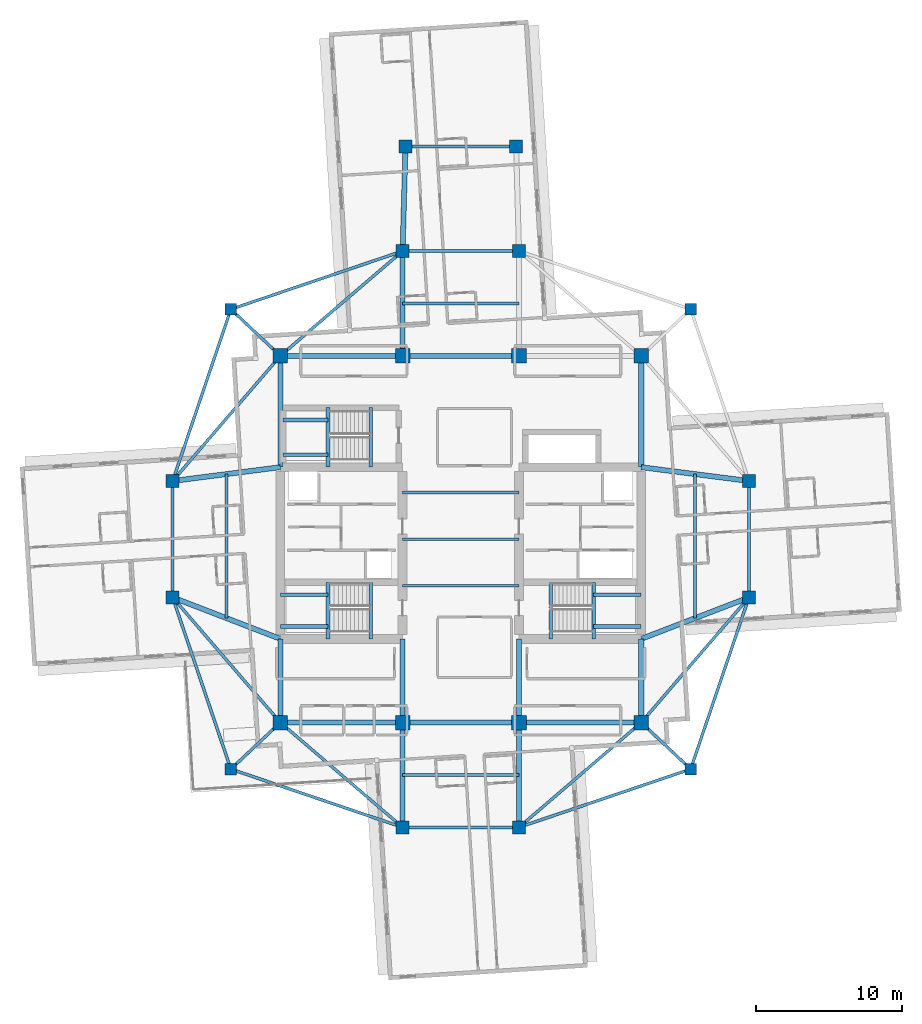
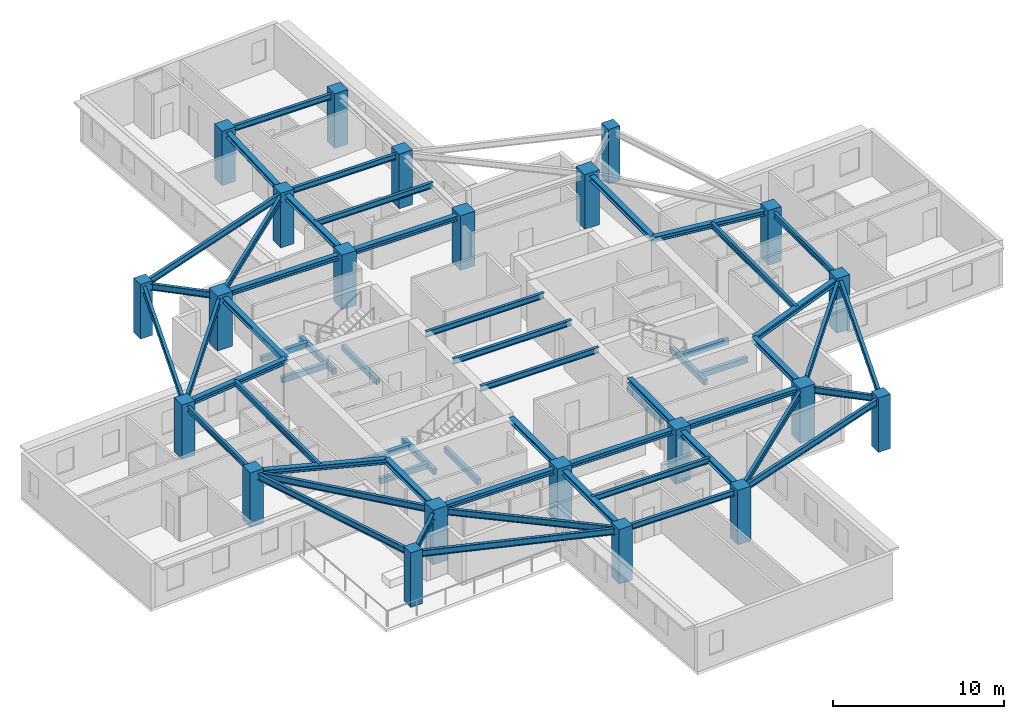
# One storey, part 1 of 12: 58 beams, 22 columns.
"""IFC4 building model written with IfcOpenShell, lengths in metres."""

from ifc_helpers import new_model, si_unit, direction, frame, origin, origin_2d, place, context, subcontext, project, spatial, rectangle, i_section, extrude, material, material_profile, profile_set, type_object, element, save


model = new_model("IFC4")

# Units and contexts
model_context = context("Model", 3, precision=1e-05, world=origin(), true_north=direction((0.0, 1.0)))
body_context = subcontext(model_context, "Body", "Model", "MODEL_VIEW")
ifc_project = project(units=[si_unit("LENGTHUNIT", "METRE"), si_unit("AREAUNIT", "SQUARE_METRE"), si_unit("VOLUMEUNIT", "CUBIC_METRE"), si_unit("PLANEANGLEUNIT", "RADIAN"), si_unit("MASSUNIT", "GRAM", prefix="KILO")], contexts=[model_context])

# Site, building, storey
site_placement = place(None, origin())
site = spatial("IfcSite", under=ifc_project, at=site_placement, CompositionType="ELEMENT")
building_placement = place(site_placement, origin())
building = spatial("IfcBuilding", under=site, at=building_placement, Name="Qingluan Cross Belvedere", CompositionType="ELEMENT")
storey_placement = place(building_placement, frame((0.0, 0.0, 209.10009765625)))
storey = spatial("IfcBuildingStorey", under=building, at=storey_placement, Name="L52", CompositionType="ELEMENT", Elevation=209.10009765625)

# Columns
ifc_material_1 = material(Name="Concrete C50", Category="concrete")
ifc_material_profile_1 = material_profile(ifc_material_1, rectangle(XDim=1.0, YDim=1.0, at=origin_2d()), Name="RC1000x1000")
ifc_profile_set_1 = profile_set([ifc_material_profile_1], Name="Concrete C50")
column_type_1 = type_object("IfcColumnType", Name="Column_RC1000x1000", PredefinedType="COLUMN", material=ifc_profile_set_1)
for number, where, z_axis, x_axis, name in (
    (1, (-12.39990234375, -12.60009765625, 0.0), (0.0, 0.0, 1.0), (1.0, 0.0, 0.0), "Hub column L52-HC1"),
    (2, (12.39990234375, -12.60009765625, 0.0), (0.0, 0.0, 1.0), (1.0, 0.0, 0.0), "Hub column L52-HC2"),
    (3, (12.39990234375, 12.60009765625, 0.0), (0.0, 0.0, 1.0), (1.0, 0.0, 0.0), "Hub column L52-HC3"),
    (4, (-12.39990234375, 12.60009765625, 0.0), (0.0, 0.0, 1.0), (1.0, 0.0, 0.0), "Hub column L52-HC4"),
    (5, (-4.0, -12.60009765625, 0.0), (0.0, 0.0, 1.0), (1.0, 0.0, 0.0), "Hub column L52-HC5"),
    (6, (4.0, -12.60009765625, 0.0), (0.0, 0.0, 1.0), (1.0, 0.0, 0.0), "Hub column L52-HC6"),
    (7, (4.0, 12.60009765625, 0.0), (0.0, 0.0, 1.0), (1.0, 0.0, 0.0), "Hub column L52-HC7"),
    (8, (-4.0, 12.60009765625, 0.0), (0.0, 0.0, 1.0), (1.0, 0.0, 0.0), "Hub column L52-HC8"),
):
    element("IfcColumn", number, at=place(storey_placement, frame(where, z_axis=z_axis, x_axis=x_axis)), inside=storey, type_object=column_type_1, Name=name, PredefinedType="COLUMN", context=body_context, shape_type="SweptSolid", body=[
        extrude(rectangle(XDim=1.0, YDim=1.0, at=origin_2d()), origin(), (0.0, 0.0, 1.0), 3.89990234375),
    ])
ifc_material_2 = material(Name="Concrete C50", Category="concrete")
ifc_material_profile_2 = material_profile(ifc_material_2, rectangle(XDim=0.800048828125, YDim=0.800048828125, at=origin_2d()), Name="RC800x800")
ifc_profile_set_2 = profile_set([ifc_material_profile_2], Name="Concrete C50")
column_type_2 = type_object("IfcColumnType", Name="Column_RC800x800", PredefinedType="COLUMN", material=ifc_profile_set_2)
for number, where, z_axis, x_axis, name in (
    (9, (15.800048828125, 15.800048828125, 0.0), (0.0, 0.0, 1.0), (1.0, 0.0, 0.0), "Corner column L52-RNE"),
    (10, (-15.800048828125, 15.800048828125, 0.0), (0.0, 0.0, 1.0), (1.0, 0.0, 0.0), "Corner column L52-RNW"),
    (11, (-15.800048828125, -15.800048828125, 0.0), (0.0, 0.0, 1.0), (1.0, 0.0, 0.0), "Corner column L52-RSW"),
    (12, (15.800048828125, -15.800048828125, 0.0), (0.0, 0.0, 1.0), (1.0, 0.0, 0.0), "Corner column L52-RSE"),
):
    element("IfcColumn", number, at=place(storey_placement, frame(where, z_axis=z_axis, x_axis=x_axis)), inside=storey, type_object=column_type_2, Name=name, PredefinedType="COLUMN", context=body_context, shape_type="SweptSolid", body=[
        extrude(rectangle(XDim=0.800048828125, YDim=0.800048828125, at=origin_2d()), origin(), (0.0, 0.0, 1.0), 3.89990234375),
    ])
ifc_material_3 = material(Name="Concrete C50", Category="concrete")
ifc_material_profile_3 = material_profile(ifc_material_3, rectangle(XDim=0.89990234375, YDim=0.89990234375, at=origin_2d()), Name="RC900x900")
ifc_profile_set_3 = profile_set([ifc_material_profile_3], Name="Concrete C50")
column_type_3 = type_object("IfcColumnType", Name="Column_RC900x900", PredefinedType="COLUMN", material=ifc_profile_set_3)
for number, where, z_axis, x_axis, name in (
    (13, (19.800048828125, -4.0, 0.0), (0.0, 0.0, 1.0), (1.0, 0.0, 0.0), "Arm column L52-EIA"),
    (14, (19.800048828125, 4.0, 0.0), (0.0, 0.0, 1.0), (1.0, 0.0, 0.0), "Arm column L52-EIB"),
    (15, (-19.800048828125, -4.0, 0.0), (0.0, 0.0, 1.0), (1.0, 0.0, 0.0), "Arm column L52-WIA"),
    (16, (-19.800048828125, 4.0, 0.0), (0.0, 0.0, 1.0), (1.0, 0.0, 0.0), "Arm column L52-WIB"),
    (17, (-4.0, -19.800048828125, 0.0), (0.0, 0.0, 1.0), (1.0, 0.0, 0.0), "Arm column L52-SIA"),
    (18, (4.0, -19.800048828125, 0.0), (0.0, 0.0, 1.0), (1.0, 0.0, 0.0), "Arm column L52-SIB"),
    (19, (-4.0, 19.800048828125, 0.0), (0.0, 0.0, 1.0), (1.0, 0.0, 0.0), "Arm column L52-NIA"),
    (20, (4.0, 19.800048828125, 0.0), (0.0, 0.0, 1.0), (1.0, 0.0, 0.0), "Arm column L52-NIB"),
    (21, (-3.800048828125, 27.0, 0.0), (0.0, 0.0, 1.0), (1.0, 0.0, 0.0), "Arm column L52-NOA"),
    (22, (3.800048828125, 27.0, 0.0), (0.0, 0.0, 1.0), (1.0, 0.0, 0.0), "Arm column L52-NOB"),
):
    element("IfcColumn", number, at=place(storey_placement, frame(where, z_axis=z_axis, x_axis=x_axis)), inside=storey, type_object=column_type_3, Name=name, PredefinedType="COLUMN", context=body_context, shape_type="SweptSolid", body=[
        extrude(rectangle(XDim=0.89990234375, YDim=0.89990234375, at=origin_2d()), origin(), (0.0, 0.0, 1.0), 3.89990234375),
    ])

# Beams
ifc_material_4 = material(Name="Concrete C45", Category="concrete")
ifc_material_profile_4 = material_profile(ifc_material_4, rectangle(XDim=0.25, YDim=0.39990234375, at=origin_2d()), Name="RC250x400")
ifc_profile_set_4 = profile_set([ifc_material_profile_4], Name="Concrete C45")
beam_type_1 = type_object("IfcBeamType", Name="RC_Lintel_RC250x400", PredefinedType="LINTEL", material=ifc_profile_set_4)
for number, where, z_axis, x_axis, name in (
    (23, (-6.179931640625, -6.85009765625, -0.2001953125), (0.0, 1.0, 0.0), (-1.0, 0.0, 0.0), "Stair ST1 landing beam L52"),
    (24, (6.179931640625, -6.85009765625, -0.2001953125), (0.0, 1.0, 0.0), (-1.0, 0.0, 0.0), "Stair ST2 landing beam L52"),
):
    element("IfcBeam", number, at=place(storey_placement, frame(where, z_axis=z_axis, x_axis=x_axis)), inside=storey, type_object=beam_type_1, Name=name, PredefinedType="LINTEL", context=body_context, shape_type="SweptSolid", body=[
        extrude(rectangle(XDim=0.25, YDim=0.39990234375, at=origin_2d()), origin(), (0.0, 0.0, 1.0), 3.89013671875),
    ])
beam_1_placement = place(storey_placement, frame((-6.179931640625, 4.949951171875, -0.2001953125), z_axis=(0.0, 1.0, 0.0), x_axis=(-1.0, 0.0, 0.0)))
element("IfcBeam", 25, at=beam_1_placement, inside=storey, type_object=beam_type_1, Name="Stair ST3 landing beam L52", PredefinedType="LINTEL", context=body_context, shape_type="SweptSolid", body=[
    extrude(rectangle(XDim=0.25, YDim=0.39990234375, at=origin_2d()), origin(), (0.0, 0.0, 1.0), 4.090087890625),
])
beam_2_placement = place(storey_placement, frame((-9.1298828125, -6.85009765625, 1.5498046875), z_axis=(0.0, 1.0, 0.0), x_axis=(-1.0, 0.0, 0.0)))
element("IfcBeam", 26, at=beam_2_placement, inside=storey, type_object=beam_type_1, Name="Stair ST1 beam A L52", PredefinedType="LINTEL", context=body_context, shape_type="SweptSolid", body=[
    extrude(rectangle(XDim=0.25, YDim=0.39990234375, at=origin_2d()), origin(), (0.0, 0.0, 1.0), 3.89013671875),
])
for number, where, z_axis, x_axis, name in (
    (27, (-12.39990234375, -6.0, 1.5498046875), (1.0, 0.0, 0.0), (0.0, 1.0, 0.0), "Stair ST1 beam B L52"),
    (28, (-12.39990234375, -3.81005859375, 1.5498046875), (1.0, 0.0, 0.0), (0.0, 1.0, 0.0), "Stair ST1 beam C L52"),
):
    element("IfcBeam", number, at=place(storey_placement, frame(where, z_axis=z_axis, x_axis=x_axis)), inside=storey, type_object=beam_type_1, Name=name, PredefinedType="LINTEL", context=body_context, shape_type="SweptSolid", body=[
        extrude(rectangle(XDim=0.25, YDim=0.39990234375, at=origin_2d()), origin(), (0.0, 0.0, 1.0), 3.27001953125),
    ])
beam_3_placement = place(storey_placement, frame((9.1298828125, -6.85009765625, 1.5498046875), z_axis=(0.0, 1.0, 0.0), x_axis=(-1.0, 0.0, 0.0)))
element("IfcBeam", 29, at=beam_3_placement, inside=storey, type_object=beam_type_1, Name="Stair ST2 beam A L52", PredefinedType="LINTEL", context=body_context, shape_type="SweptSolid", body=[
    extrude(rectangle(XDim=0.25, YDim=0.39990234375, at=origin_2d()), origin(), (0.0, 0.0, 1.0), 3.89013671875),
])
for number, where, z_axis, x_axis, name in (
    (30, (12.39990234375, -6.0, 1.5498046875), (-1.0, 0.0, 0.0), (0.0, -1.0, 0.0), "Stair ST2 beam B L52"),
    (31, (12.39990234375, -3.81005859375, 1.5498046875), (-1.0, 0.0, 0.0), (0.0, -1.0, 0.0), "Stair ST2 beam C L52"),
):
    element("IfcBeam", number, at=place(storey_placement, frame(where, z_axis=z_axis, x_axis=x_axis)), inside=storey, type_object=beam_type_1, Name=name, PredefinedType="LINTEL", context=body_context, shape_type="SweptSolid", body=[
        extrude(rectangle(XDim=0.25, YDim=0.39990234375, at=origin_2d()), origin(), (0.0, 0.0, 1.0), 3.27001953125),
    ])
beam_4_placement = place(storey_placement, frame((-9.1298828125, 4.949951171875, 1.5498046875), z_axis=(0.0, 1.0, 0.0), x_axis=(-1.0, 0.0, 0.0)))
element("IfcBeam", 32, at=beam_4_placement, inside=storey, type_object=beam_type_1, Name="Stair ST3 beam A L52", PredefinedType="LINTEL", context=body_context, shape_type="SweptSolid", body=[
    extrude(rectangle(XDim=0.25, YDim=0.39990234375, at=origin_2d()), origin(), (0.0, 0.0, 1.0), 4.090087890625),
])
for number, where, z_axis, x_axis, name in (
    (33, (-12.219970703125, 5.800048828125, 1.5498046875), (1.0, 0.0, 0.0), (0.0, 1.0, 0.0), "Stair ST3 beam B L52"),
    (34, (-12.219970703125, 8.18994140625, 1.5498046875), (1.0, 0.0, 0.0), (0.0, 1.0, 0.0), "Stair ST3 beam C L52"),
):
    element("IfcBeam", number, at=place(storey_placement, frame(where, z_axis=z_axis, x_axis=x_axis)), inside=storey, type_object=beam_type_1, Name=name, PredefinedType="LINTEL", context=body_context, shape_type="SweptSolid", body=[
        extrude(rectangle(XDim=0.25, YDim=0.39990234375, at=origin_2d()), origin(), (0.0, 0.0, 1.0), 3.090087890625),
    ])
ifc_material_5 = material(Name="Steel Q420GJB", Category="steel")
ifc_material_profile_5 = material_profile(ifc_material_5, i_section(OverallWidth=0.199951171875, OverallDepth=0.39990234375, WebThickness=0.008056640625, FlangeThickness=0.012939453125, FilletRadius=0.012939453125, at=origin_2d()), Name="HN400x200x8x13")
ifc_profile_set_5 = profile_set([ifc_material_profile_5], Name="Steel Q420GJB")
beam_type_2 = type_object("IfcBeamType", Name="Steel_Beam_HN400x200x8x13", PredefinedType="JOIST", material=ifc_profile_set_5)
for number, where, z_axis, x_axis, name in (
    (35, (-4.0, -3.199951171875, 3.5), (1.0, 0.0, 0.0), (0.0, 1.0, 0.0), "Hall beam L52-CH1"),
    (36, (-4.0, 0.0, 3.5), (1.0, 0.0, 0.0), (0.0, 1.0, 0.0), "Hall beam L52-CH2"),
    (37, (-4.0, 3.199951171875, 3.5), (1.0, 0.0, 0.0), (0.0, 1.0, 0.0), "Hall beam L52-CH3"),
    (38, (19.800048828125, -4.0, 3.5), (0.0, 1.0, 0.0), (-1.0, 0.0, 0.0), "Arm E tie L52"),
):
    element("IfcBeam", number, at=place(storey_placement, frame(where, z_axis=z_axis, x_axis=x_axis)), inside=storey, type_object=beam_type_2, Name=name, PredefinedType="JOIST", context=body_context, shape_type="SweptSolid", body=[
        extrude(i_section(OverallWidth=0.199951171875, OverallDepth=0.39990234375, WebThickness=0.008056640625, FlangeThickness=0.012939453125, FilletRadius=0.012939453125, at=origin_2d()), origin(), (0.0, 0.0, 1.0), 8.0),
    ])
beam_5_placement = place(storey_placement, frame((16.10009765625, -5.425048828125, 3.5), z_axis=(0.0, 1.0, 0.0), x_axis=(-1.0, 0.0, 0.0)))
element("IfcBeam", 39, at=beam_5_placement, inside=storey, type_object=beam_type_2, Name="Arm E beam L52", PredefinedType="JOIST", context=body_context, shape_type="SweptSolid", body=[
    extrude(i_section(OverallWidth=0.199951171875, OverallDepth=0.39990234375, WebThickness=0.008056640625, FlangeThickness=0.012939453125, FilletRadius=0.012939453125, at=origin_2d()), origin(), (0.0, 0.0, 1.0), 9.900146484375),
])
beam_6_placement = place(storey_placement, frame((-19.800048828125, -4.0, 3.5), z_axis=(0.0, 1.0, 0.0), x_axis=(-1.0, 0.0, 0.0)))
element("IfcBeam", 40, at=beam_6_placement, inside=storey, type_object=beam_type_2, Name="Arm W tie L52", PredefinedType="JOIST", context=body_context, shape_type="SweptSolid", body=[
    extrude(i_section(OverallWidth=0.199951171875, OverallDepth=0.39990234375, WebThickness=0.008056640625, FlangeThickness=0.012939453125, FilletRadius=0.012939453125, at=origin_2d()), origin(), (0.0, 0.0, 1.0), 8.0),
])
beam_7_placement = place(storey_placement, frame((-16.10009765625, -5.425048828125, 3.5), z_axis=(0.0, 1.0, 0.0), x_axis=(-1.0, 0.0, 0.0)))
element("IfcBeam", 41, at=beam_7_placement, inside=storey, type_object=beam_type_2, Name="Arm W beam L52", PredefinedType="JOIST", context=body_context, shape_type="SweptSolid", body=[
    extrude(i_section(OverallWidth=0.199951171875, OverallDepth=0.39990234375, WebThickness=0.008056640625, FlangeThickness=0.012939453125, FilletRadius=0.012939453125, at=origin_2d()), origin(), (0.0, 0.0, 1.0), 9.900146484375),
])
for number, where, z_axis, x_axis, name in (
    (42, (-4.0, 19.800048828125, 3.5), (1.0, 0.0, 0.0), (0.0, 1.0, 0.0), "Arm N tie L52"),
    (43, (-4.0, 16.199951171875, 3.5), (1.0, 0.0, 0.0), (0.0, 1.0, 0.0), "Arm N beam L52"),
):
    element("IfcBeam", number, at=place(storey_placement, frame(where, z_axis=z_axis, x_axis=x_axis)), inside=storey, type_object=beam_type_2, Name=name, PredefinedType="JOIST", context=body_context, shape_type="SweptSolid", body=[
        extrude(i_section(OverallWidth=0.199951171875, OverallDepth=0.39990234375, WebThickness=0.008056640625, FlangeThickness=0.012939453125, FilletRadius=0.012939453125, at=origin_2d()), origin(), (0.0, 0.0, 1.0), 8.0),
    ])
beam_8_placement = place(storey_placement, frame((-3.800048828125, 27.0, 3.5), z_axis=(1.0, 0.0, 0.0), x_axis=(0.0, 1.0, 0.0)))
element("IfcBeam", 44, at=beam_8_placement, inside=storey, type_object=beam_type_2, Name="Arm N tip transverse beam L52", PredefinedType="JOIST", context=body_context, shape_type="SweptSolid", body=[
    extrude(i_section(OverallWidth=0.199951171875, OverallDepth=0.39990234375, WebThickness=0.008056640625, FlangeThickness=0.012939453125, FilletRadius=0.012939453125, at=origin_2d()), origin(), (0.0, 0.0, 1.0), 7.60009765625),
])
for number, where, z_axis, x_axis, name in (
    (45, (-4.0, -19.800048828125, 3.5), (1.0, 0.0, 0.0), (0.0, 1.0, 0.0), "Arm S tie L52"),
    (46, (-4.0, -16.199951171875, 3.5), (1.0, 0.0, 0.0), (0.0, 1.0, 0.0), "Arm S beam L52"),
):
    element("IfcBeam", number, at=place(storey_placement, frame(where, z_axis=z_axis, x_axis=x_axis)), inside=storey, type_object=beam_type_2, Name=name, PredefinedType="JOIST", context=body_context, shape_type="SweptSolid", body=[
        extrude(i_section(OverallWidth=0.199951171875, OverallDepth=0.39990234375, WebThickness=0.008056640625, FlangeThickness=0.012939453125, FilletRadius=0.012939453125, at=origin_2d()), origin(), (0.0, 0.0, 1.0), 8.0),
    ])
ifc_material_6 = material(Name="Steel Q420GJB", Category="steel")
ifc_material_profile_6 = material_profile(ifc_material_6, i_section(OverallWidth=0.199951171875, OverallDepth=0.449951171875, WebThickness=0.009033203125, FlangeThickness=0.013916015625, FilletRadius=0.01611328125, at=origin_2d()), Name="HN450x200x9x14")
ifc_profile_set_6 = profile_set([ifc_material_profile_6], Name="Steel Q420GJB")
beam_type_3 = type_object("IfcBeamType", Name="Steel_Beam_HN450x200x9x14", PredefinedType="JOIST", material=ifc_profile_set_6)
beam_9_placement = place(storey_placement, frame((-12.39990234375, 12.60009765625, 3.474853515625), z_axis=(-0.728219948308, 0.685343495546, 0.0), x_axis=(-0.685343495546, -0.728219948308, 0.0)))
element("IfcBeam", 47, at=beam_9_placement, inside=storey, type_object=beam_type_3, Name="Corner beam 1 L52-RNW", PredefinedType="JOIST", context=body_context, shape_type="SweptSolid", body=[
    extrude(i_section(OverallWidth=0.199951171875, OverallDepth=0.449951171875, WebThickness=0.009033203125, FlangeThickness=0.013916015625, FilletRadius=0.01611328125, at=origin_2d()), origin(), (0.0, 0.0, 1.0), 4.669189453125),
])
for number, where, z_axis, x_axis, name in (
    (48, (-15.800048828125, 15.800048828125, 3.474853515625), (0.947066283324, 0.321038089628, 0.0), (-0.321038089628, 0.947066283324, 0.0), "Corner beam 2 L52-RNW"),
    (49, (-15.800048828125, 15.800048828125, 3.474853515625), (-0.321038089628, -0.947066283324, 0.0), (0.947066283324, -0.321038089628, 0.0), "Corner beam 3 L52-RNW"),
):
    element("IfcBeam", number, at=place(storey_placement, frame(where, z_axis=z_axis, x_axis=x_axis)), inside=storey, type_object=beam_type_3, Name=name, PredefinedType="JOIST", context=body_context, shape_type="SweptSolid", body=[
        extrude(i_section(OverallWidth=0.199951171875, OverallDepth=0.449951171875, WebThickness=0.009033203125, FlangeThickness=0.013916015625, FilletRadius=0.01611328125, at=origin_2d()), origin(), (0.0, 0.0, 1.0), 12.45947265625),
    ])
beam_10_placement = place(storey_placement, frame((-12.39990234375, 12.60009765625, 3.474853515625), z_axis=(-0.652245077546, -0.75800815221, 0.0), x_axis=(0.75800815221, -0.652245077546, 0.0)))
element("IfcBeam", 50, at=beam_10_placement, inside=storey, type_object=beam_type_3, Name="Corner beam 4 L52-RNW", PredefinedType="JOIST", context=body_context, shape_type="SweptSolid", body=[
    extrude(i_section(OverallWidth=0.199951171875, OverallDepth=0.449951171875, WebThickness=0.009033203125, FlangeThickness=0.013916015625, FilletRadius=0.01611328125, at=origin_2d()), origin(), (0.0, 0.0, 1.0), 11.345703125),
])
beam_11_placement = place(storey_placement, frame((-12.39990234375, 12.60009765625, 3.474853515625), z_axis=(0.759255044656, 0.650793190779, 0.0), x_axis=(-0.650793190779, 0.759255044656, 0.0)))
element("IfcBeam", 51, at=beam_11_placement, inside=storey, type_object=beam_type_3, Name="Corner beam 5 L52-RNW", PredefinedType="JOIST", context=body_context, shape_type="SweptSolid", body=[
    extrude(i_section(OverallWidth=0.199951171875, OverallDepth=0.449951171875, WebThickness=0.009033203125, FlangeThickness=0.013916015625, FilletRadius=0.01611328125, at=origin_2d()), origin(), (0.0, 0.0, 1.0), 11.063232421875),
])
beam_12_placement = place(storey_placement, frame((-12.39990234375, -12.60009765625, 3.454833984375), z_axis=(-0.728219948308, -0.685343495546, 0.0), x_axis=(0.685343495546, -0.728219948308, 0.0)))
element("IfcBeam", 52, at=beam_12_placement, inside=storey, type_object=beam_type_3, Name="Corner beam 1 L52-RSW", PredefinedType="JOIST", context=body_context, shape_type="SweptSolid", body=[
    extrude(i_section(OverallWidth=0.199951171875, OverallDepth=0.449951171875, WebThickness=0.009033203125, FlangeThickness=0.013916015625, FilletRadius=0.01611328125, at=origin_2d()), origin(), (0.0, 0.0, 1.0), 4.669189453125),
])
for number, where, z_axis, x_axis, name in (
    (53, (-15.800048828125, -15.800048828125, 3.454833984375), (0.947066283324, -0.321038089628, 0.0), (0.321038089628, 0.947066283324, 0.0), "Corner beam 2 L52-RSW"),
    (54, (-15.800048828125, -15.800048828125, 3.454833984375), (-0.321038089628, 0.947066283324, 0.0), (-0.947066283324, -0.321038089628, 0.0), "Corner beam 3 L52-RSW"),
):
    element("IfcBeam", number, at=place(storey_placement, frame(where, z_axis=z_axis, x_axis=x_axis)), inside=storey, type_object=beam_type_3, Name=name, PredefinedType="JOIST", context=body_context, shape_type="SweptSolid", body=[
        extrude(i_section(OverallWidth=0.199951171875, OverallDepth=0.449951171875, WebThickness=0.009033203125, FlangeThickness=0.013916015625, FilletRadius=0.01611328125, at=origin_2d()), origin(), (0.0, 0.0, 1.0), 12.45947265625),
    ])
beam_13_placement = place(storey_placement, frame((-12.39990234375, -12.60009765625, 3.454833984375), z_axis=(-0.652245077546, 0.75800815221, 0.0), x_axis=(-0.75800815221, -0.652245077546, 0.0)))
element("IfcBeam", 55, at=beam_13_placement, inside=storey, type_object=beam_type_3, Name="Corner beam 4 L52-RSW", PredefinedType="JOIST", context=body_context, shape_type="SweptSolid", body=[
    extrude(i_section(OverallWidth=0.199951171875, OverallDepth=0.449951171875, WebThickness=0.009033203125, FlangeThickness=0.013916015625, FilletRadius=0.01611328125, at=origin_2d()), origin(), (0.0, 0.0, 1.0), 11.345703125),
])
beam_14_placement = place(storey_placement, frame((-12.39990234375, -12.60009765625, 3.454833984375), z_axis=(0.759255044656, -0.650793190779, 0.0), x_axis=(0.650793190779, 0.759255044656, 0.0)))
element("IfcBeam", 56, at=beam_14_placement, inside=storey, type_object=beam_type_3, Name="Corner beam 5 L52-RSW", PredefinedType="JOIST", context=body_context, shape_type="SweptSolid", body=[
    extrude(i_section(OverallWidth=0.199951171875, OverallDepth=0.449951171875, WebThickness=0.009033203125, FlangeThickness=0.013916015625, FilletRadius=0.01611328125, at=origin_2d()), origin(), (0.0, 0.0, 1.0), 11.063232421875),
])
beam_15_placement = place(storey_placement, frame((12.39990234375, -12.60009765625, 3.474853515625), z_axis=(0.728219948308, -0.685343495546, 0.0), x_axis=(0.685343495546, 0.728219948308, 0.0)))
element("IfcBeam", 57, at=beam_15_placement, inside=storey, type_object=beam_type_3, Name="Corner beam 1 L52-RSE", PredefinedType="JOIST", context=body_context, shape_type="SweptSolid", body=[
    extrude(i_section(OverallWidth=0.199951171875, OverallDepth=0.449951171875, WebThickness=0.009033203125, FlangeThickness=0.013916015625, FilletRadius=0.01611328125, at=origin_2d()), origin(), (0.0, 0.0, 1.0), 4.669189453125),
])
for number, where, z_axis, x_axis, name in (
    (58, (15.800048828125, -15.800048828125, 3.474853515625), (-0.947066283324, -0.321038089628, 0.0), (0.321038089628, -0.947066283324, 0.0), "Corner beam 2 L52-RSE"),
    (59, (15.800048828125, -15.800048828125, 3.474853515625), (0.321038089628, 0.947066283324, 0.0), (-0.947066283324, 0.321038089628, 0.0), "Corner beam 3 L52-RSE"),
):
    element("IfcBeam", number, at=place(storey_placement, frame(where, z_axis=z_axis, x_axis=x_axis)), inside=storey, type_object=beam_type_3, Name=name, PredefinedType="JOIST", context=body_context, shape_type="SweptSolid", body=[
        extrude(i_section(OverallWidth=0.199951171875, OverallDepth=0.449951171875, WebThickness=0.009033203125, FlangeThickness=0.013916015625, FilletRadius=0.01611328125, at=origin_2d()), origin(), (0.0, 0.0, 1.0), 12.45947265625),
    ])
beam_16_placement = place(storey_placement, frame((12.39990234375, -12.60009765625, 3.474853515625), z_axis=(0.652245077546, 0.75800815221, 0.0), x_axis=(-0.75800815221, 0.652245077546, 0.0)))
element("IfcBeam", 60, at=beam_16_placement, inside=storey, type_object=beam_type_3, Name="Corner beam 4 L52-RSE", PredefinedType="JOIST", context=body_context, shape_type="SweptSolid", body=[
    extrude(i_section(OverallWidth=0.199951171875, OverallDepth=0.449951171875, WebThickness=0.009033203125, FlangeThickness=0.013916015625, FilletRadius=0.01611328125, at=origin_2d()), origin(), (0.0, 0.0, 1.0), 11.345703125),
])
beam_17_placement = place(storey_placement, frame((12.39990234375, -12.60009765625, 3.474853515625), z_axis=(-0.759255044656, -0.650793190779, 0.0), x_axis=(0.650793190779, -0.759255044656, 0.0)))
element("IfcBeam", 61, at=beam_17_placement, inside=storey, type_object=beam_type_3, Name="Corner beam 5 L52-RSE", PredefinedType="JOIST", context=body_context, shape_type="SweptSolid", body=[
    extrude(i_section(OverallWidth=0.199951171875, OverallDepth=0.449951171875, WebThickness=0.009033203125, FlangeThickness=0.013916015625, FilletRadius=0.01611328125, at=origin_2d()), origin(), (0.0, 0.0, 1.0), 11.063232421875),
])
ifc_material_7 = material(Name="Steel Q420GJB", Category="steel")
ifc_material_profile_7 = material_profile(ifc_material_7, i_section(OverallWidth=0.35009765625, OverallDepth=0.35009765625, WebThickness=0.011962890625, FlangeThickness=0.01904296875, FilletRadius=0.02001953125, at=origin_2d()), Name="HW350x350x12x19")
ifc_profile_set_7 = profile_set([ifc_material_profile_7], Name="Steel Q420GJB")
beam_type_4 = type_object("IfcBeamType", Name="Steel_Girder_HW350x350x12x19", PredefinedType="USERDEFINED", material=ifc_profile_set_7)
beam_18_placement = place(storey_placement, frame((-12.39990234375, -12.60009765625, 3.52490234375), z_axis=(1.0, 0.0, 0.0), x_axis=(0.0, 1.0, 0.0)))
element("IfcBeam", 62, at=beam_18_placement, inside=storey, type_object=beam_type_4, Name="Hub girder L52-HG-S1", ObjectType="GIRDER", PredefinedType="USERDEFINED", context=body_context, shape_type="SweptSolid", body=[
    extrude(i_section(OverallWidth=0.35009765625, OverallDepth=0.35009765625, WebThickness=0.011962890625, FlangeThickness=0.01904296875, FilletRadius=0.02001953125, at=origin_2d()), origin(), (0.0, 0.0, 1.0), 8.39990234375),
])
beam_19_placement = place(storey_placement, frame((-4.0, -12.60009765625, 3.52490234375), z_axis=(1.0, 0.0, 0.0), x_axis=(0.0, 1.0, 0.0)))
element("IfcBeam", 63, at=beam_19_placement, inside=storey, type_object=beam_type_4, Name="Hub girder L52-HG-S2", ObjectType="GIRDER", PredefinedType="USERDEFINED", context=body_context, shape_type="SweptSolid", body=[
    extrude(i_section(OverallWidth=0.35009765625, OverallDepth=0.35009765625, WebThickness=0.011962890625, FlangeThickness=0.01904296875, FilletRadius=0.02001953125, at=origin_2d()), origin(), (0.0, 0.0, 1.0), 8.0),
])
for number, where, z_axis, x_axis, name in (
    (64, (4.0, -12.60009765625, 3.52490234375), (1.0, 0.0, 0.0), (0.0, 1.0, 0.0), "Hub girder L52-HG-S3"),
    (65, (-12.39990234375, 12.60009765625, 3.52490234375), (1.0, 0.0, 0.0), (0.0, 1.0, 0.0), "Hub girder L52-HG-N1"),
):
    element("IfcBeam", number, at=place(storey_placement, frame(where, z_axis=z_axis, x_axis=x_axis)), inside=storey, type_object=beam_type_4, Name=name, ObjectType="GIRDER", PredefinedType="USERDEFINED", context=body_context, shape_type="SweptSolid", body=[
        extrude(i_section(OverallWidth=0.35009765625, OverallDepth=0.35009765625, WebThickness=0.011962890625, FlangeThickness=0.01904296875, FilletRadius=0.02001953125, at=origin_2d()), origin(), (0.0, 0.0, 1.0), 8.39990234375),
    ])
beam_20_placement = place(storey_placement, frame((-4.0, 12.60009765625, 3.52490234375), z_axis=(1.0, 0.0, 0.0), x_axis=(0.0, 1.0, 0.0)))
element("IfcBeam", 66, at=beam_20_placement, inside=storey, type_object=beam_type_4, Name="Hub girder L52-HG-N2", ObjectType="GIRDER", PredefinedType="USERDEFINED", context=body_context, shape_type="SweptSolid", body=[
    extrude(i_section(OverallWidth=0.35009765625, OverallDepth=0.35009765625, WebThickness=0.011962890625, FlangeThickness=0.01904296875, FilletRadius=0.02001953125, at=origin_2d()), origin(), (0.0, 0.0, 1.0), 8.0),
])
beam_21_placement = place(storey_placement, frame((-12.39990234375, -12.60009765625, 3.52490234375), z_axis=(0.0, 1.0, 0.0), x_axis=(-1.0, 0.0, 0.0)))
element("IfcBeam", 67, at=beam_21_placement, inside=storey, type_object=beam_type_4, Name="Hub girder L52-HG-W1", ObjectType="GIRDER", PredefinedType="USERDEFINED", context=body_context, shape_type="SweptSolid", body=[
    extrude(i_section(OverallWidth=0.35009765625, OverallDepth=0.35009765625, WebThickness=0.011962890625, FlangeThickness=0.01904296875, FilletRadius=0.02001953125, at=origin_2d()), origin(), (0.0, 0.0, 1.0), 5.75),
])
beam_22_placement = place(storey_placement, frame((-12.39990234375, 4.949951171875, 3.52490234375), z_axis=(0.0, 1.0, 0.0), x_axis=(-1.0, 0.0, 0.0)))
element("IfcBeam", 68, at=beam_22_placement, inside=storey, type_object=beam_type_4, Name="Hub girder L52-HG-W2", ObjectType="GIRDER", PredefinedType="USERDEFINED", context=body_context, shape_type="SweptSolid", body=[
    extrude(i_section(OverallWidth=0.35009765625, OverallDepth=0.35009765625, WebThickness=0.011962890625, FlangeThickness=0.01904296875, FilletRadius=0.02001953125, at=origin_2d()), origin(), (0.0, 0.0, 1.0), 7.650146484375),
])
beam_23_placement = place(storey_placement, frame((12.39990234375, -12.60009765625, 3.52490234375), z_axis=(0.0, 1.0, 0.0), x_axis=(-1.0, 0.0, 0.0)))
element("IfcBeam", 69, at=beam_23_placement, inside=storey, type_object=beam_type_4, Name="Hub girder L52-HG-E1", ObjectType="GIRDER", PredefinedType="USERDEFINED", context=body_context, shape_type="SweptSolid", body=[
    extrude(i_section(OverallWidth=0.35009765625, OverallDepth=0.35009765625, WebThickness=0.011962890625, FlangeThickness=0.01904296875, FilletRadius=0.02001953125, at=origin_2d()), origin(), (0.0, 0.0, 1.0), 5.75),
])
beam_24_placement = place(storey_placement, frame((12.39990234375, 4.949951171875, 3.52490234375), z_axis=(0.0, 1.0, 0.0), x_axis=(-1.0, 0.0, 0.0)))
element("IfcBeam", 70, at=beam_24_placement, inside=storey, type_object=beam_type_4, Name="Hub girder L52-HG-E2", ObjectType="GIRDER", PredefinedType="USERDEFINED", context=body_context, shape_type="SweptSolid", body=[
    extrude(i_section(OverallWidth=0.35009765625, OverallDepth=0.35009765625, WebThickness=0.011962890625, FlangeThickness=0.01904296875, FilletRadius=0.02001953125, at=origin_2d()), origin(), (0.0, 0.0, 1.0), 7.650146484375),
])
for number, where, z_axis, x_axis, name in (
    (71, (-4.0, -12.60009765625, 3.52490234375), (0.0, 1.0, 0.0), (-1.0, 0.0, 0.0), "Hub girder L52-HG-CW"),
    (72, (4.0, -12.60009765625, 3.52490234375), (0.0, 1.0, 0.0), (-1.0, 0.0, 0.0), "Hub girder L52-HG-CE"),
):
    element("IfcBeam", number, at=place(storey_placement, frame(where, z_axis=z_axis, x_axis=x_axis)), inside=storey, type_object=beam_type_4, Name=name, ObjectType="GIRDER", PredefinedType="USERDEFINED", context=body_context, shape_type="SweptSolid", body=[
        extrude(i_section(OverallWidth=0.35009765625, OverallDepth=0.35009765625, WebThickness=0.011962890625, FlangeThickness=0.01904296875, FilletRadius=0.02001953125, at=origin_2d()), origin(), (0.0, 0.0, 1.0), 5.75),
    ])
beam_25_placement = place(storey_placement, frame((12.39990234375, -6.85009765625, 3.52490234375), z_axis=(0.933181258889, 0.359406090735, 0.0), x_axis=(-0.359406090735, 0.933181258889, 0.0)))
element("IfcBeam", 73, at=beam_25_placement, inside=storey, type_object=beam_type_4, Name="Arm E radial girder A L52", ObjectType="GIRDER", PredefinedType="USERDEFINED", context=body_context, shape_type="SweptSolid", body=[
    extrude(i_section(OverallWidth=0.35009765625, OverallDepth=0.35009765625, WebThickness=0.011962890625, FlangeThickness=0.01904296875, FilletRadius=0.02001953125, at=origin_2d()), origin(), (0.0, 0.0, 1.0), 7.929931640625),
])
beam_26_placement = place(storey_placement, frame((12.39990234375, 4.949951171875, 3.52490234375), z_axis=(0.991861120628, -0.12732445714, 0.0), x_axis=(0.12732445714, 0.991861120628, 0.0)))
element("IfcBeam", 74, at=beam_26_placement, inside=storey, type_object=beam_type_4, Name="Arm E radial girder B L52", ObjectType="GIRDER", PredefinedType="USERDEFINED", context=body_context, shape_type="SweptSolid", body=[
    extrude(i_section(OverallWidth=0.35009765625, OverallDepth=0.35009765625, WebThickness=0.011962890625, FlangeThickness=0.01904296875, FilletRadius=0.02001953125, at=origin_2d()), origin(), (0.0, 0.0, 1.0), 7.4609375),
])
beam_27_placement = place(storey_placement, frame((-12.39990234375, -6.85009765625, 3.52490234375), z_axis=(-0.933181258889, 0.359406090735, 0.0), x_axis=(-0.359406090735, -0.933181258889, 0.0)))
element("IfcBeam", 75, at=beam_27_placement, inside=storey, type_object=beam_type_4, Name="Arm W radial girder A L52", ObjectType="GIRDER", PredefinedType="USERDEFINED", context=body_context, shape_type="SweptSolid", body=[
    extrude(i_section(OverallWidth=0.35009765625, OverallDepth=0.35009765625, WebThickness=0.011962890625, FlangeThickness=0.01904296875, FilletRadius=0.02001953125, at=origin_2d()), origin(), (0.0, 0.0, 1.0), 7.929931640625),
])
beam_28_placement = place(storey_placement, frame((-12.39990234375, 4.949951171875, 3.52490234375), z_axis=(-0.991861120628, -0.12732445714, 0.0), x_axis=(0.12732445714, -0.991861120628, 0.0)))
element("IfcBeam", 76, at=beam_28_placement, inside=storey, type_object=beam_type_4, Name="Arm W radial girder B L52", ObjectType="GIRDER", PredefinedType="USERDEFINED", context=body_context, shape_type="SweptSolid", body=[
    extrude(i_section(OverallWidth=0.35009765625, OverallDepth=0.35009765625, WebThickness=0.011962890625, FlangeThickness=0.01904296875, FilletRadius=0.02001953125, at=origin_2d()), origin(), (0.0, 0.0, 1.0), 7.4609375),
])
beam_29_placement = place(storey_placement, frame((-4.0, 12.60009765625, 3.52490234375), z_axis=(0.0, 1.0, 0.0), x_axis=(-1.0, 0.0, 0.0)))
element("IfcBeam", 77, at=beam_29_placement, inside=storey, type_object=beam_type_4, Name="Arm N radial girder A L52", ObjectType="GIRDER", PredefinedType="USERDEFINED", context=body_context, shape_type="SweptSolid", body=[
    extrude(i_section(OverallWidth=0.35009765625, OverallDepth=0.35009765625, WebThickness=0.011962890625, FlangeThickness=0.01904296875, FilletRadius=0.02001953125, at=origin_2d()), origin(), (0.0, 0.0, 1.0), 7.199951171875),
])
beam_30_placement = place(storey_placement, frame((-4.0, 19.800048828125, 3.52490234375), z_axis=(0.027760481514, 0.999614603568, 0.0), x_axis=(-0.999614603568, 0.027760481514, 0.0)))
element("IfcBeam", 78, at=beam_30_placement, inside=storey, type_object=beam_type_4, Name="Arm N outer radial girder A L52", ObjectType="GIRDER", PredefinedType="USERDEFINED", context=body_context, shape_type="SweptSolid", body=[
    extrude(i_section(OverallWidth=0.35009765625, OverallDepth=0.35009765625, WebThickness=0.011962890625, FlangeThickness=0.01904296875, FilletRadius=0.02001953125, at=origin_2d()), origin(), (0.0, 0.0, 1.0), 7.20263671875),
])
for number, where, z_axis, x_axis, name in (
    (79, (-4.0, -12.60009765625, 3.52490234375), (0.0, -1.0, 0.0), (1.0, 0.0, 0.0), "Arm S radial girder A L52"),
    (80, (4.0, -12.60009765625, 3.52490234375), (0.0, -1.0, 0.0), (1.0, 0.0, 0.0), "Arm S radial girder B L52"),
):
    element("IfcBeam", number, at=place(storey_placement, frame(where, z_axis=z_axis, x_axis=x_axis)), inside=storey, type_object=beam_type_4, Name=name, ObjectType="GIRDER", PredefinedType="USERDEFINED", context=body_context, shape_type="SweptSolid", body=[
        extrude(i_section(OverallWidth=0.35009765625, OverallDepth=0.35009765625, WebThickness=0.011962890625, FlangeThickness=0.01904296875, FilletRadius=0.02001953125, at=origin_2d()), origin(), (0.0, 0.0, 1.0), 7.199951171875),
    ])

save(model, "model.ifc")
